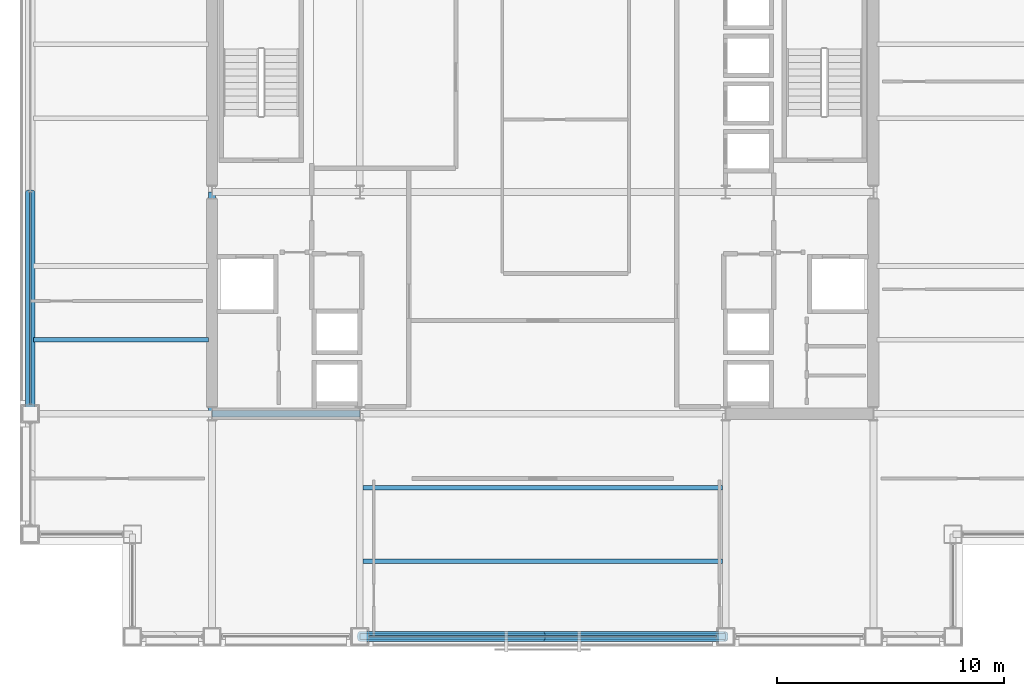
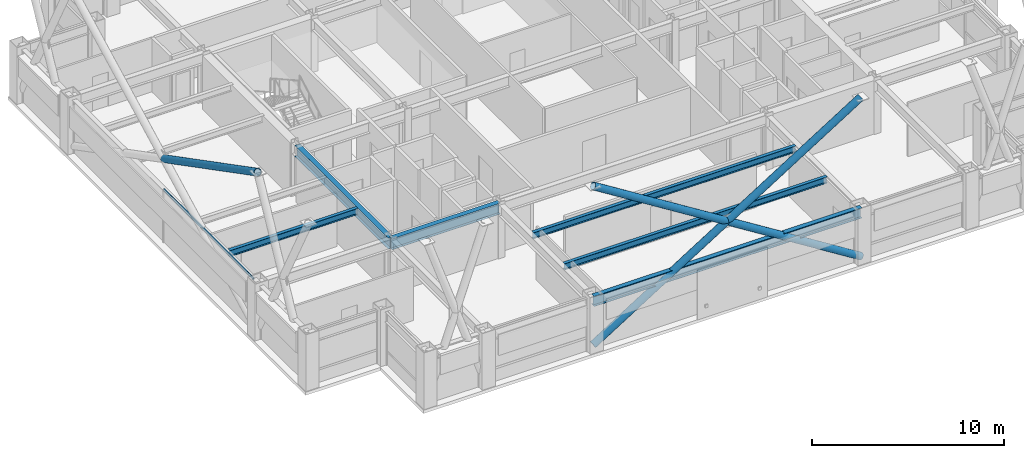
# One storey, part 6 of 35: 6 beams, 6 members, 2 elements without a shape of their own.
"""IFC4 building model written with IfcOpenShell, lengths in metres."""

from ifc_helpers import new_model, si_unit, direction, frame, origin, origin_2d, place, context, subcontext, project, spatial, hollow_rectangle, hollow_circle, i_section, extrude, material, layer, layer_set, material_profile, profile_set, type_object, element, aggregate, save


model = new_model("IFC4")

# Units and contexts
model_context = context("Model", 3, precision=1e-05, world=origin(), true_north=direction((0.0, 1.0)))
body_context = subcontext(model_context, "Body", "Model", "MODEL_VIEW")
ifc_project = project(units=[si_unit("LENGTHUNIT", "METRE"), si_unit("AREAUNIT", "SQUARE_METRE"), si_unit("VOLUMEUNIT", "CUBIC_METRE"), si_unit("PLANEANGLEUNIT", "RADIAN"), si_unit("MASSUNIT", "GRAM", prefix="KILO")], contexts=[model_context])

# Site, building, storey
site_placement = place(None, origin())
site = spatial("IfcSite", under=ifc_project, at=site_placement, CompositionType="ELEMENT")
building_placement = place(site_placement, origin())
building = spatial("IfcBuilding", under=site, at=building_placement, Name="Brelmoor Portico Tower", CompositionType="ELEMENT")
storey_placement = place(building_placement, frame((0.0, 0.0, 131.39990234375)))
storey = spatial("IfcBuildingStorey", under=building, at=storey_placement, Name="L34", CompositionType="ELEMENT", Elevation=131.39990234375)

# Beams
ifc_material_1 = material(Name="Steel Q355B", Category="steel")
ifc_material_profile_1 = material_profile(ifc_material_1, i_section(OverallWidth=0.199951171875, OverallDepth=0.39990234375, WebThickness=0.008056640625, FlangeThickness=0.012939453125, at=origin_2d()), Name="HN 400x200x8x13")
ifc_profile_set_1 = profile_set([ifc_material_profile_1], Name="Steel Q355B")
beam_type_1 = type_object("IfcBeamType", Name="BM-JS-400", PredefinedType="JOIST", material=ifc_profile_set_1)
for number, where, z_axis, x_axis, name in (
    (1, (-7.89990234375, -16.25, 3.2001953125), (1.0, 0.0, 0.0), (0.0, 1.0, 0.0), "L34 Secondary Composite Joist JS-C01"),
    (2, (-7.89990234375, -13.0, 3.2001953125), (1.0, 0.0, 0.0), (0.0, 1.0, 0.0), "L34 Secondary Composite Joist JS-C02"),
):
    element("IfcBeam", number, at=place(storey_placement, frame(where, z_axis=z_axis, x_axis=x_axis)), inside=storey, type_object=beam_type_1, Name=name, PredefinedType="JOIST", context=body_context, shape_type="SweptSolid", body=[
        extrude(i_section(OverallWidth=0.199951171875, OverallDepth=0.39990234375, WebThickness=0.008056640625, FlangeThickness=0.012939453125, at=origin_2d()), origin(), (0.0, 0.0, 1.0), 15.7998046875),
    ])
beam_1_placement = place(storey_placement, frame((-22.409912109375, -6.5, 3.2001953125), z_axis=(1.0, 0.0, 0.0), x_axis=(0.0, 1.0, 0.0)))
element("IfcBeam", 3, at=beam_1_placement, inside=storey, type_object=beam_type_1, Name="L34 Secondary Wing Joist JS-W05", PredefinedType="JOIST", context=body_context, shape_type="SweptSolid", body=[
    extrude(i_section(OverallWidth=0.199951171875, OverallDepth=0.39990234375, WebThickness=0.008056640625, FlangeThickness=0.012939453125, at=origin_2d()), origin(), (0.0, 0.0, 1.0), 7.7099609375),
])
ifc_material_profile_2 = material_profile(ifc_material_1, i_section(OverallWidth=0.300048828125, OverallDepth=0.699951171875, WebThickness=0.012939453125, FlangeThickness=0.02392578125, at=origin_2d()), Name="HN 700x300x13x24")
ifc_profile_set_2 = profile_set([ifc_material_profile_2], Name="Steel Q355B")
beam_type_2 = type_object("IfcBeamType", Name="BM-PG-700", PredefinedType="BEAM", material=ifc_profile_set_2)
beam_2_placement = place(storey_placement, frame((-14.550048828125, -9.75, 3.050048828125), z_axis=(0.0, 1.0, 0.0), x_axis=(-1.0, 0.0, 0.0)))
element("IfcBeam", 4, at=beam_2_placement, inside=storey, type_object=beam_type_2, Name="L34 Primary Floor Girder PG-02", PredefinedType="BEAM", context=body_context, shape_type="SweptSolid", body=[
    extrude(i_section(OverallWidth=0.300048828125, OverallDepth=0.699951171875, WebThickness=0.012939453125, FlangeThickness=0.02392578125, at=origin_2d()), origin(), (0.0, 0.0, 1.0), 9.75),
])
beam_3_placement = place(storey_placement, frame((-14.550048828125, -9.75, 3.050048828125), z_axis=(1.0, 0.0, 0.0), x_axis=(0.0, 1.0, 0.0)))
element("IfcBeam", 5, at=beam_3_placement, inside=storey, type_object=beam_type_2, Name="L34 Primary Floor Girder PG-15", PredefinedType="BEAM", context=body_context, shape_type="SweptSolid", body=[
    extrude(i_section(OverallWidth=0.300048828125, OverallDepth=0.699951171875, WebThickness=0.012939453125, FlangeThickness=0.02392578125, at=origin_2d()), origin(), (0.0, 0.0, 1.0), 6.5),
])
ifc_material_profile_3 = material_profile(ifc_material_1, i_section(OverallWidth=0.280029296875, OverallDepth=0.64990234375, WebThickness=0.012939453125, FlangeThickness=0.02197265625, at=origin_2d()), Name="HN 650x280x13x22")
ifc_profile_set_3 = profile_set([ifc_material_profile_3], Name="Steel Q355B")
beam_type_3 = type_object("IfcBeamType", Name="BM-SP-650", PredefinedType="SPANDREL", material=ifc_profile_set_3)
beam_4_placement = place(storey_placement, frame((-8.050048828125, -19.550048828125, 3.0751953125), z_axis=(1.0, 0.0, 0.0), x_axis=(0.0, 1.0, 0.0)))
element("IfcBeam", 6, at=beam_4_placement, inside=storey, type_object=beam_type_3, Name="L34 Perimeter Spandrel Beam SP-03", PredefinedType="SPANDREL", context=body_context, shape_type="SweptSolid", body=[
    extrude(i_section(OverallWidth=0.280029296875, OverallDepth=0.64990234375, WebThickness=0.012939453125, FlangeThickness=0.02197265625, at=origin_2d()), origin(), (0.0, 0.0, 1.0), 16.10009765625),
])

# Members
ifc_material_profile_4 = material_profile(ifc_material_1, hollow_circle(Radius=0.212890625, WallThickness=0.02001953125, at=origin_2d()), Name="CHS 426x20")
ifc_profile_set_4 = profile_set([ifc_material_profile_4], Name="Steel Q355B")
member_type_1 = type_object("IfcMemberType", Name="MB-BELT-DIAG1", PredefinedType="BRACE", material=ifc_profile_set_4)
member_1_placement = place(storey_placement, frame((-8.050048828125, -19.550048828125, 0.25), z_axis=(0.847109476093, 0.0, 0.531418418493), x_axis=(0.0, 1.0, 0.0)))
element("IfcMember", 7, at=member_1_placement, inside=storey, type_object=member_type_1, Name="L34 Continuous Mega-X Brace 075A", PredefinedType="BRACE", context=body_context, shape_type="SweptSolid", body=[
    extrude(hollow_circle(Radius=0.212890625, WallThickness=0.02001953125, at=origin_2d()), origin(), (0.0, 0.0, 1.0), 19.005859375),
])
for number, where, z_axis, x_axis, name in (
    (8, (8.050048828125, -19.550048828125, 0.25), (-0.847109476093, 0.0, 0.531418418493), (0.0, -1.0, 0.0), "L34 Split Mega-X Brace 075B1"),
    (9, (0.0, -19.550048828125, 5.300048828125), (-0.847109476093, 0.0, 0.531418418493), (0.0, -1.0, 0.0), "L34 Split Mega-X Brace 075B2"),
):
    element("IfcMember", number, at=place(storey_placement, frame(where, z_axis=z_axis, x_axis=x_axis)), inside=storey, type_object=member_type_1, Name=name, PredefinedType="BRACE", context=body_context, shape_type="SweptSolid", body=[
        extrude(hollow_circle(Radius=0.212890625, WallThickness=0.02001953125, at=origin_2d()), origin(), (0.0, 0.0, 1.0), 9.5029296875),
    ])
member_2_placement = place(storey_placement, frame((-22.550048828125, 0.0, 5.300048828125), z_axis=(0.0, -0.887959386012, 0.459921872488), x_axis=(1.0, 0.0, 0.0)))
element("IfcMember", 10, at=member_2_placement, inside=storey, type_object=member_type_1, Name="L34 Split Mega-X Brace 080B2", PredefinedType="BRACE", context=body_context, shape_type="SweptSolid", body=[
    extrude(hollow_circle(Radius=0.212890625, WallThickness=0.02001953125, at=origin_2d()), origin(), (0.0, 0.0, 1.0), 10.980224609375),
])

# Curtain wall, member
ifc_material_2 = material(Name="Anodised Aluminium Alloy 6063-T6", Category="aluminium")
ifc_layer = layer(ifc_material_2, 0.179931640625)
ifc_layer_set = layer_set([ifc_layer], Name="Anodised Aluminium Alloy 6063-T6")
curtain_wall_type = type_object("IfcCurtainWallType", Name="CW-TOWER-Z2-XB", PredefinedType="NOTDEFINED", material=ifc_layer_set)
curtain_wall_1_placement = place(storey_placement, origin())
curtain_wall_1 = element("IfcCurtainWall", 11, at=curtain_wall_1_placement, inside=storey, type_object=curtain_wall_type, Name="L34 Curtain Wall CW-L34-01-3", PredefinedType="NOTDEFINED")
ifc_material_profile_5 = material_profile(ifc_material_2, hollow_rectangle(XDim=0.06494140625, YDim=0.139892578125, WallThickness=0.00390625, at=origin_2d()), Name="ALU TRANSOM 65x140")
ifc_profile_set_5 = profile_set([ifc_material_profile_5], Name="Anodised Aluminium Alloy 6063-T6")
member_type_2 = type_object("IfcMemberType", Name="MB-CW-TRAN-140", PredefinedType="USERDEFINED", material=ifc_profile_set_5)
member_3_placement = place(storey_placement, frame((-7.639892578125, -19.550048828125, 3.330078125), z_axis=(1.0, 0.0, 0.0), x_axis=(0.0, 1.0, 0.0)))
member_3 = element("IfcMember", 12, at=member_3_placement, type_object=member_type_2, Name="CW-L34-01-3 Transom 1-00", ObjectType="TRANSOM", PredefinedType="USERDEFINED", context=body_context, shape_type="SweptSolid", body=[
    extrude(hollow_rectangle(XDim=0.06494140625, YDim=0.139892578125, WallThickness=0.00390625, at=origin_2d()), origin(), (0.0, 0.0, 1.0), 15.27978515625),
])
aggregate(curtain_wall_1, [member_3])

curtain_wall_2_placement = place(storey_placement, origin())
curtain_wall_2 = element("IfcCurtainWall", 13, at=curtain_wall_2_placement, inside=storey, type_object=curtain_wall_type, Name="L34 Curtain Wall CW-L34-03-2", PredefinedType="NOTDEFINED")
member_4_placement = place(storey_placement, frame((-22.550048828125, -9.340087890625, 3.330078125), z_axis=(0.0, 1.0, 0.0), x_axis=(-1.0, 0.0, 0.0)))
member_4 = element("IfcMember", 14, at=member_4_placement, type_object=member_type_2, Name="CW-L34-03-2 Transom 1-00", ObjectType="TRANSOM", PredefinedType="USERDEFINED", context=body_context, shape_type="SweptSolid", body=[
    extrude(hollow_rectangle(XDim=0.06494140625, YDim=0.139892578125, WallThickness=0.00390625, at=origin_2d()), origin(), (0.0, 0.0, 1.0), 9.340087890625),
])
aggregate(curtain_wall_2, [member_4])

save(model, "model.ifc")
